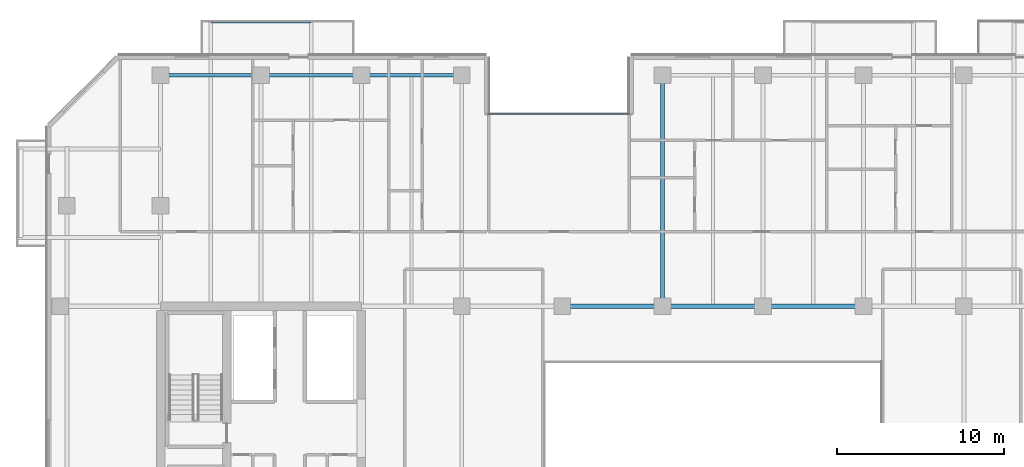
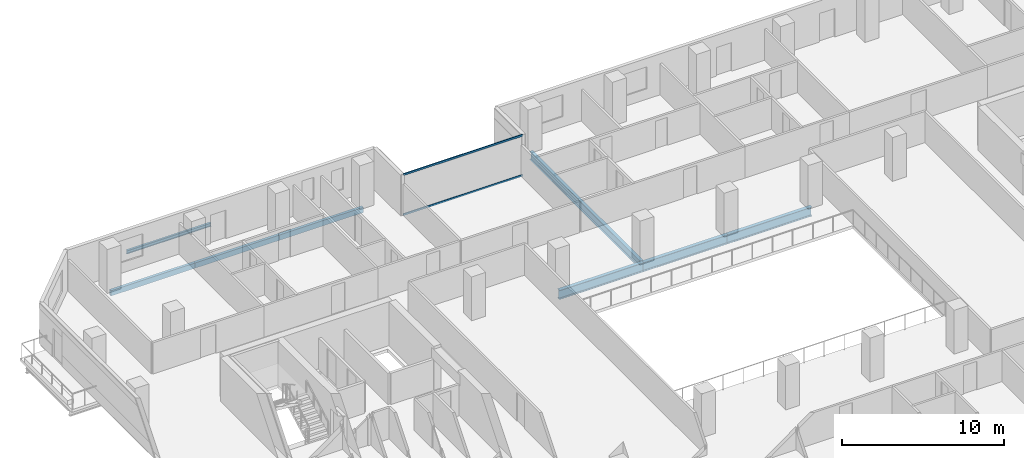
# One storey, part 7 of 23: 8 beams, 2 members, 1 element without a shape of its own.
"""IFC4 building model written with IfcOpenShell, lengths in metres."""

from ifc_helpers import new_model, si_unit, direction, frame, origin, origin_2d, place, context, subcontext, project, spatial, hollow_rectangle, i_section, extrude, material, layer, layer_set, material_profile, profile_set, type_object, element, aggregate, save


model = new_model("IFC4")

# Units and contexts
model_context = context("Model", 3, precision=1e-05, world=origin(), true_north=direction((0.0, 1.0)))
body_context = subcontext(model_context, "Body", "Model", "MODEL_VIEW")
ifc_project = project(units=[si_unit("LENGTHUNIT", "METRE"), si_unit("AREAUNIT", "SQUARE_METRE"), si_unit("VOLUMEUNIT", "CUBIC_METRE"), si_unit("PLANEANGLEUNIT", "RADIAN"), si_unit("MASSUNIT", "GRAM", prefix="KILO")], contexts=[model_context])

# Site, building, storey
site_placement = place(None, origin())
site = spatial("IfcSite", under=ifc_project, at=site_placement, CompositionType="ELEMENT")
building_placement = place(site_placement, origin())
building = spatial("IfcBuilding", under=site, at=building_placement, Name="Tanjung Sevakor Pilgrim Tower", CompositionType="ELEMENT")
storey_placement = place(building_placement, frame((0.0, 0.0, 85.469970703125)))
storey = spatial("IfcBuildingStorey", under=building, at=storey_placement, Name="L23", CompositionType="ELEMENT", Elevation=85.469970703125)

# Beams
ifc_material_1 = material(Name="Steel S355J2", Category="steel")
ifc_material_profile_1 = material_profile(ifc_material_1, i_section(OverallWidth=0.25439453125, OverallDepth=0.6875, WebThickness=0.01318359375, FlangeThickness=0.02099609375, FilletRadius=0.01513671875, at=origin_2d()))
ifc_profile_set_1 = profile_set([ifc_material_profile_1], Name="Steel S355J2")
beam_type_1 = type_object("IfcBeamType", Name="BM-B-G2-UB_686x254x152", PredefinedType="BEAM", material=ifc_profile_set_1)
for number, where, z_axis, x_axis, name in (
    (1, (48.0, 42.60009765625, -0.563720703125), (1.0, 0.0, 0.0), (0.0, 1.0, 0.0), "L23 Primary Floor Girder MAIN Y426-04"),
    (2, (54.0, 42.60009765625, -0.563720703125), (1.0, 0.0, 0.0), (0.0, 1.0, 0.0), "L23 Primary Floor Girder MAIN Y426-05"),
    (3, (60.0, 42.60009765625, -0.563720703125), (1.0, 0.0, 0.0), (0.0, 1.0, 0.0), "L23 Primary Floor Girder MAIN Y426-06"),
):
    element("IfcBeam", number, at=place(storey_placement, frame(where, z_axis=z_axis, x_axis=x_axis)), inside=storey, type_object=beam_type_1, Name=name, PredefinedType="BEAM", context=body_context, shape_type="SweptSolid", body=[
        extrude(i_section(OverallWidth=0.25439453125, OverallDepth=0.6875, WebThickness=0.01318359375, FlangeThickness=0.02099609375, FilletRadius=0.01513671875, at=origin_2d()), origin(), (0.0, 0.0, 1.0), 6.0),
    ])
ifc_material_2 = material(Name="Steel S355J2", Category="steel")
ifc_material_profile_2 = material_profile(ifc_material_2, i_section(OverallWidth=0.230224609375, OverallDepth=0.6171875, WebThickness=0.01318359375, FlangeThickness=0.022216796875, FilletRadius=0.0126953125, at=origin_2d()))
ifc_profile_set_2 = profile_set([ifc_material_profile_2], Name="Steel S355J2")
beam_type_2 = type_object("IfcBeamType", Name="BM-B-G3-UB_610x229x140", PredefinedType="BEAM", material=ifc_profile_set_2)
beam_1_placement = place(storey_placement, frame((54.0, 42.60009765625, -0.528564453125), z_axis=(0.0, 1.0, 0.0), x_axis=(-1.0, 0.0, 0.0)))
element("IfcBeam", 4, at=beam_1_placement, inside=storey, type_object=beam_type_2, Name="L23 MAIN Girder 013", PredefinedType="BEAM", context=body_context, shape_type="SweptSolid", body=[
    extrude(i_section(OverallWidth=0.230224609375, OverallDepth=0.6171875, WebThickness=0.01318359375, FlangeThickness=0.022216796875, FilletRadius=0.0126953125, at=origin_2d()), origin(), (0.0, 0.0, 1.0), 13.7998046875),
])
ifc_material_3 = material(Name="Steel S355J2", Category="steel")
ifc_material_profile_3 = material_profile(ifc_material_3, i_section(OverallWidth=0.146484375, OverallDepth=0.256103515625, WebThickness=0.00634765625, FlangeThickness=0.010986328125, FilletRadius=0.007568359375, at=origin_2d()))
ifc_profile_set_3 = profile_set([ifc_material_profile_3], Name="Steel S355J2")
beam_type_3 = type_object("IfcBeamType", Name="BM-B-J6-UB_254x146x37", PredefinedType="JOIST", material=ifc_profile_set_3)
beam_2_placement = place(storey_placement, frame((27.0, 59.580078125, -0.327880859375), z_axis=(1.0, 0.0, 0.0), x_axis=(0.0, 1.0, 0.0)))
element("IfcBeam", 5, at=beam_2_placement, inside=storey, type_object=beam_type_3, Name="L23 Balcony Rim Tie MAIN-N1", PredefinedType="JOIST", context=body_context, shape_type="SweptSolid", body=[
    extrude(i_section(OverallWidth=0.146484375, OverallDepth=0.256103515625, WebThickness=0.00634765625, FlangeThickness=0.010986328125, FilletRadius=0.007568359375, at=origin_2d()), origin(), (0.0, 0.0, 1.0), 6.0),
])
ifc_material_4 = material(Name="Steel S355J2", Category="steel")
ifc_material_profile_4 = material_profile(ifc_material_4, hollow_rectangle(XDim=0.199951171875, YDim=0.39990234375, WallThickness=0.01611328125, at=origin_2d()))
ifc_profile_set_4 = profile_set([ifc_material_profile_4], Name="Steel S355J2")
beam_type_4 = type_object("IfcBeamType", Name="BM-B-SP2-RHS_400x200x16", PredefinedType="SPANDREL", material=ifc_profile_set_4)
for number, where, z_axis, x_axis, name in (
    (6, (24.0, 56.39990234375, -0.419921875), (1.0, 0.0, 0.0), (0.0, 1.0, 0.0), "L23 Spandrel MAIN N-02"),
    (7, (30.0, 56.39990234375, -0.419921875), (1.0, 0.0, 0.0), (0.0, 1.0, 0.0), "L23 Spandrel MAIN N-04"),
    (8, (36.0, 56.39990234375, -0.419921875), (1.0, 0.0, 0.0), (0.0, 1.0, 0.0), "L23 Spandrel MAIN N-06"),
):
    element("IfcBeam", number, at=place(storey_placement, frame(where, z_axis=z_axis, x_axis=x_axis)), inside=storey, type_object=beam_type_4, Name=name, PredefinedType="SPANDREL", context=body_context, shape_type="SweptSolid", body=[
        extrude(hollow_rectangle(XDim=0.199951171875, YDim=0.39990234375, WallThickness=0.01611328125, at=origin_2d()), origin(), (0.0, 0.0, 1.0), 6.0),
    ])

# Curtain wall, members
ifc_material_5 = material(Name="Aluminium 6063-T6 and Low-E Glass", Category="aluminium")
ifc_layer = layer(ifc_material_5, 0.179931640625)
ifc_layer_set = layer_set([ifc_layer], Name="CW-SYS-CLEFT")
curtain_wall_type = type_object("IfcCurtainWallType", Name="CW-SYS-CLEFT", PredefinedType="NOTDEFINED", material=ifc_layer_set)
curtain_wall_placement = place(storey_placement, origin())
curtain_wall = element("IfcCurtainWall", 9, at=curtain_wall_placement, inside=storey, type_object=curtain_wall_type, Name="L23 Curtain Wall CW-CLF-L23-10", PredefinedType="NOTDEFINED")
ifc_material_6 = material(Name="Aluminium 6063-T6", Category="aluminium")
ifc_material_profile_5 = material_profile(ifc_material_6, hollow_rectangle(XDim=0.06494140625, YDim=0.139892578125, WallThickness=0.00390625, at=origin_2d()))
ifc_profile_set_5 = profile_set([ifc_material_profile_5], Name="Aluminium 6063-T6")
member_type = type_object("IfcMemberType", Name="TYPE-CWT-1", PredefinedType="USERDEFINED", material=ifc_profile_set_5)
member_1_placement = place(storey_placement, frame((52.050048828125, 54.074951171875, 0.032470703125), z_axis=(-1.0, 0.0, 0.0), x_axis=(0.0, -1.0, 0.0)))
member_1 = element("IfcMember", 10, at=member_1_placement, type_object=member_type, Name="CW-CLF transom 1.1", ObjectType="TRANSOM", PredefinedType="USERDEFINED", context=body_context, shape_type="SweptSolid", body=[
    extrude(hollow_rectangle(XDim=0.06494140625, YDim=0.139892578125, WallThickness=0.00390625, at=origin_2d()), origin(), (0.0, 0.0, 1.0), 8.5),
])
member_2_placement = place(storey_placement, frame((52.050048828125, 54.074951171875, 3.047607421875), z_axis=(-1.0, 0.0, 0.0), x_axis=(0.0, -1.0, 0.0)))
member_2 = element("IfcMember", 11, at=member_2_placement, type_object=member_type, Name="CW-CLF transom 1.2", ObjectType="TRANSOM", PredefinedType="USERDEFINED", context=body_context, shape_type="SweptSolid", body=[
    extrude(hollow_rectangle(XDim=0.06494140625, YDim=0.139892578125, WallThickness=0.00390625, at=origin_2d()), origin(), (0.0, 0.0, 1.0), 8.5),
])
aggregate(curtain_wall, [member_1, member_2])

save(model, "model.ifc")
